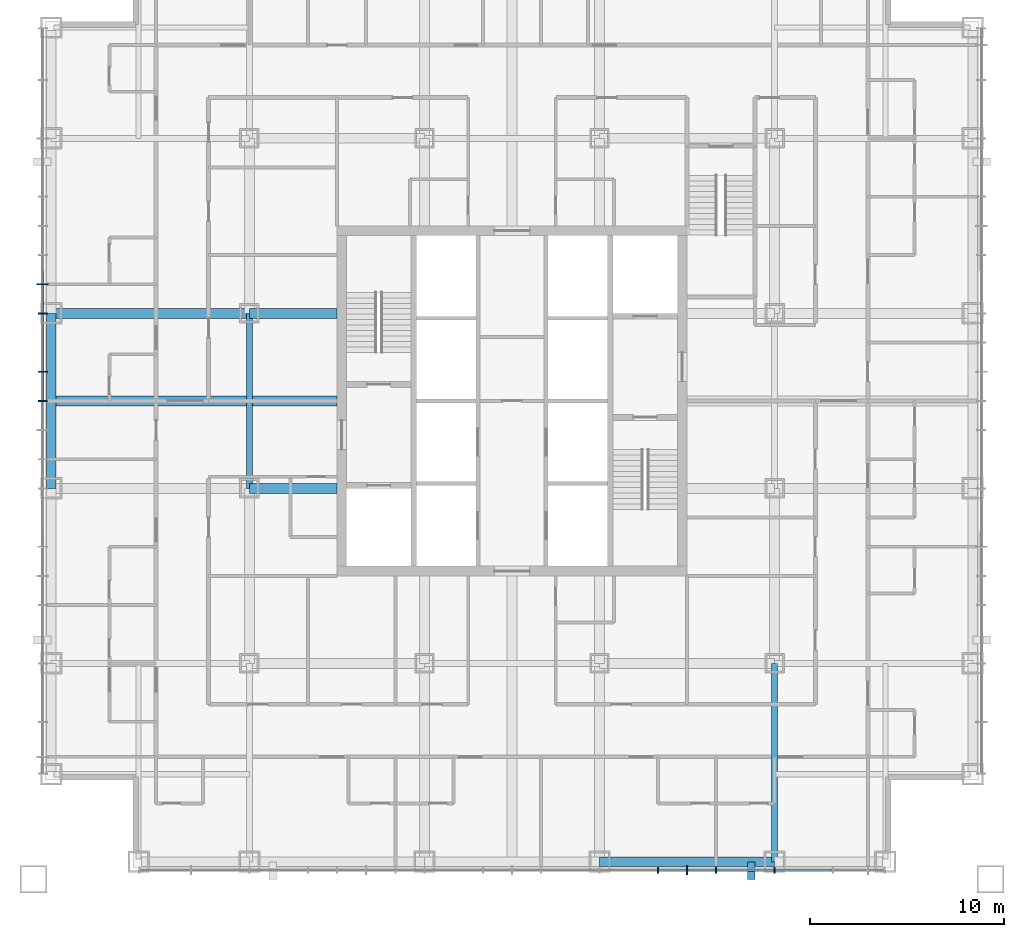
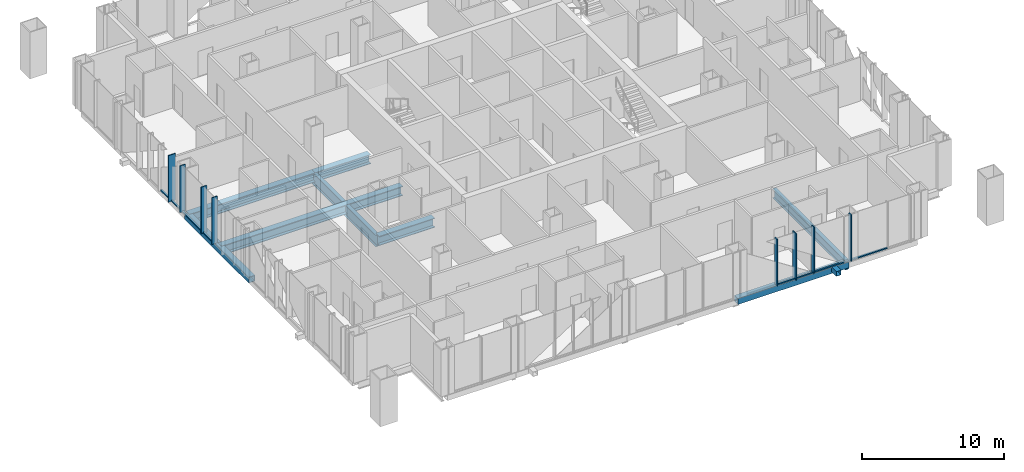
# One storey, part 3 of 14: 17 members, 8 beams, 2 elements without a shape of their own.
"""IFC4 building model written with IfcOpenShell, lengths in metres."""

from ifc_helpers import new_model, si_unit, direction, frame, origin, origin_2d, place, context, subcontext, project, spatial, rectangle, hollow_rectangle, i_section, extrude, material, layer, layer_set, material_profile, profile_set, type_object, element, aggregate, save


model = new_model("IFC4")

# Units and contexts
model_context = context("Model", 3, precision=1e-05, world=origin(), true_north=direction((0.0, 1.0)))
body_context = subcontext(model_context, "Body", "Model", "MODEL_VIEW")
ifc_project = project(units=[si_unit("LENGTHUNIT", "METRE"), si_unit("AREAUNIT", "SQUARE_METRE"), si_unit("VOLUMEUNIT", "CUBIC_METRE"), si_unit("PLANEANGLEUNIT", "RADIAN"), si_unit("MASSUNIT", "GRAM", prefix="KILO")], contexts=[model_context])

# Site, building, storey
site_placement = place(None, origin())
site = spatial("IfcSite", under=ifc_project, at=site_placement, CompositionType="ELEMENT")
building_placement = place(site_placement, origin())
building = spatial("IfcBuilding", under=site, at=building_placement, Name="Malebo Sky Hospital", CompositionType="ELEMENT")
storey_placement = place(building_placement, frame((0.0, 0.0, 148.0)))
storey = spatial("IfcBuildingStorey", under=building, at=storey_placement, Name="L35", CompositionType="ELEMENT", Elevation=148.0)

# Curtain wall, members
ifc_material_1 = material(Name="Anodised aluminium, natural silver", Category="aluminium")
ifc_layer_1 = layer(ifc_material_1, 0.25)
ifc_layer_set_1 = layer_set([ifc_layer_1], Name="WARD CURTAIN WALL EAST AND WEST")
curtain_wall_type_1 = type_object("IfcCurtainWallType", Name="WARD CURTAIN WALL EAST AND WEST", PredefinedType="NOTDEFINED", material=ifc_layer_set_1)
curtain_wall_1_placement = place(storey_placement, origin())
curtain_wall_1 = element("IfcCurtainWall", 1, at=curtain_wall_1_placement, inside=storey, type_object=curtain_wall_type_1, Name="EW curtain wall W", PredefinedType="NOTDEFINED")
ifc_material_profile_1 = material_profile(ifc_material_1, rectangle(XDim=0.14990234375, YDim=0.10009765625, at=origin_2d()), Name="ALUMINIUM TRANSOM 150x100")
ifc_profile_set_1 = profile_set([ifc_material_profile_1], Name="Anodised aluminium, natural silver")
member_type_1 = type_object("IfcMemberType", Name="ALUMINIUM TRANSOM 150x100", PredefinedType="USERDEFINED", material=ifc_profile_set_1)
member_1_placement = place(storey_placement, frame((35.864990234375, 62.03759765625, 0.050048828125), z_axis=(0.0, 1.0, 0.0), x_axis=(-1.0, 0.0, 0.0)))
member_1 = element("IfcMember", 2, at=member_1_placement, type_object=member_type_1, Name="Transom 11", ObjectType="TRANSOM", PredefinedType="USERDEFINED", context=body_context, shape_type="SweptSolid", body=[
    extrude(rectangle(XDim=0.14990234375, YDim=0.10009765625, at=origin_2d()), origin(), (0.0, 0.0, 1.0), 1.4248046875),
])
member_2_placement = place(storey_placement, frame((35.864990234375, 63.53759765625, 0.050048828125), z_axis=(0.0, 1.0, 0.0), x_axis=(-1.0, 0.0, 0.0)))
member_2 = element("IfcMember", 3, at=member_2_placement, type_object=member_type_1, Name="Transom 12", ObjectType="TRANSOM", PredefinedType="USERDEFINED", context=body_context, shape_type="SweptSolid", body=[
    extrude(rectangle(XDim=0.14990234375, YDim=0.10009765625, at=origin_2d()), origin(), (0.0, 0.0, 1.0), 2.9248046875),
])
member_3_placement = place(storey_placement, frame((35.864990234375, 66.53759765625, 0.050048828125), z_axis=(0.0, 1.0, 0.0), x_axis=(-1.0, 0.0, 0.0)))
member_3 = element("IfcMember", 4, at=member_3_placement, type_object=member_type_1, Name="Transom 13", ObjectType="TRANSOM", PredefinedType="USERDEFINED", context=body_context, shape_type="SweptSolid", body=[
    extrude(rectangle(XDim=0.14990234375, YDim=0.10009765625, at=origin_2d()), origin(), (0.0, 0.0, 1.0), 1.4248046875),
])
member_4_placement = place(storey_placement, frame((35.864990234375, 68.03759765625, 0.050048828125), z_axis=(0.0, 1.0, 0.0), x_axis=(-1.0, 0.0, 0.0)))
member_4 = element("IfcMember", 5, at=member_4_placement, type_object=member_type_1, Name="Transom 14", ObjectType="TRANSOM", PredefinedType="USERDEFINED", context=body_context, shape_type="SweptSolid", body=[
    extrude(rectangle(XDim=0.14990234375, YDim=0.10009765625, at=origin_2d()), origin(), (0.0, 0.0, 1.0), 1.4248046875),
])

ifc_layer_2 = layer(ifc_material_1, 0.25)
ifc_layer_set_2 = layer_set([ifc_layer_2], Name="WARD CURTAIN WALL NORTH AND SOUTH")
curtain_wall_type_2 = type_object("IfcCurtainWallType", Name="WARD CURTAIN WALL NORTH AND SOUTH", PredefinedType="NOTDEFINED", material=ifc_layer_set_2)
curtain_wall_2_placement = place(storey_placement, origin())
curtain_wall_2 = element("IfcCurtainWall", 6, at=curtain_wall_2_placement, inside=storey, type_object=curtain_wall_type_2, Name="NS curtain wall S", PredefinedType="NOTDEFINED")
member_5_placement = place(storey_placement, frame((76.46240234375, 37.864990234375, 0.050048828125), z_axis=(-1.0, 0.0, 0.0), x_axis=(0.0, -1.0, 0.0)))
member_5 = element("IfcMember", 7, at=member_5_placement, type_object=member_type_1, Name="Transom 3", ObjectType="TRANSOM", PredefinedType="USERDEFINED", context=body_context, shape_type="SweptSolid", body=[
    extrude(rectangle(XDim=0.14990234375, YDim=0.10009765625, at=origin_2d()), origin(), (0.0, 0.0, 1.0), 2.9248046875),
])
member_6_placement = place(storey_placement, frame((73.46240234375, 37.864990234375, 0.050048828125), z_axis=(-1.0, 0.0, 0.0), x_axis=(0.0, -1.0, 0.0)))
member_6 = element("IfcMember", 8, at=member_6_placement, type_object=member_type_1, Name="Transom 4", ObjectType="TRANSOM", PredefinedType="USERDEFINED", context=body_context, shape_type="SweptSolid", body=[
    extrude(rectangle(XDim=0.14990234375, YDim=0.10009765625, at=origin_2d()), origin(), (0.0, 0.0, 1.0), 2.9248046875),
])
member_7_placement = place(storey_placement, frame((70.46240234375, 37.864990234375, 0.050048828125), z_axis=(-1.0, 0.0, 0.0), x_axis=(0.0, -1.0, 0.0)))
member_7 = element("IfcMember", 9, at=member_7_placement, type_object=member_type_1, Name="Transom 5", ObjectType="TRANSOM", PredefinedType="USERDEFINED", context=body_context, shape_type="SweptSolid", body=[
    extrude(rectangle(XDim=0.14990234375, YDim=0.10009765625, at=origin_2d()), origin(), (0.0, 0.0, 1.0), 1.4248046875),
])
member_8_placement = place(storey_placement, frame((68.96240234375, 37.864990234375, 0.050048828125), z_axis=(-1.0, 0.0, 0.0), x_axis=(0.0, -1.0, 0.0)))
member_8 = element("IfcMember", 10, at=member_8_placement, type_object=member_type_1, Name="Transom 6", ObjectType="TRANSOM", PredefinedType="USERDEFINED", context=body_context, shape_type="SweptSolid", body=[
    extrude(rectangle(XDim=0.14990234375, YDim=0.10009765625, at=origin_2d()), origin(), (0.0, 0.0, 1.0), 1.4248046875),
])

# Member
ifc_material_2 = material(Name="Steel S355", Category="steel")
ifc_material_profile_2 = material_profile(ifc_material_2, hollow_rectangle(XDim=0.39990234375, YDim=0.39990234375, WallThickness=0.02001953125, at=origin_2d()), Name="SHS 400x20")
ifc_profile_set_2 = profile_set([ifc_material_profile_2], Name="Steel S355")
member_type_2 = type_object("IfcMemberType", Name="BRACE STRUT SHS 400x20", PredefinedType="STRUT", material=ifc_profile_set_2)
member_9_placement = place(storey_placement, frame((72.300048828125, 37.39990234375, -0.39990234375), z_axis=(0.0, 1.0, 0.0), x_axis=(-1.0, 0.0, 0.0)))
element("IfcMember", 11, at=member_9_placement, inside=storey, type_object=member_type_2, Name="Brace strut BS2 L35", PredefinedType="STRUT", context=body_context, shape_type="SweptSolid", body=[
    extrude(hollow_rectangle(XDim=0.39990234375, YDim=0.39990234375, WallThickness=0.02001953125, at=origin_2d()), origin(), (0.0, 0.0, 1.0), 0.900146484375),
])

ifc_material_profile_3 = material_profile(ifc_material_1, rectangle(XDim=0.074951171875, YDim=0.300048828125, at=origin_2d()), Name="CW1 ALUMINIUM FIN MULLION 75x300")
ifc_profile_set_3 = profile_set([ifc_material_profile_3], Name="Anodised aluminium, natural silver")
member_type_3 = type_object("IfcMemberType", Name="CW1 ALUMINIUM FIN MULLION 75x300", PredefinedType="MULLION", material=ifc_profile_set_3)
member_10_placement = place(storey_placement, frame((73.5, 37.864990234375, 0.0), z_axis=(0.0, 0.0, 1.0), x_axis=(-1.0, 0.0, 0.0)))
member_10 = element("IfcMember", 12, at=member_10_placement, type_object=member_type_3, Name="Fin mullion 4", PredefinedType="MULLION", context=body_context, shape_type="SweptSolid", body=[
    extrude(rectangle(XDim=0.074951171875, YDim=0.300048828125, at=origin_2d()), origin(), (0.0, 0.0, 1.0), 4.0),
])

member_11_placement = place(storey_placement, frame((70.5, 37.864990234375, 0.0), z_axis=(0.0, 0.0, 1.0), x_axis=(-1.0, 0.0, 0.0)))
member_11 = element("IfcMember", 13, at=member_11_placement, type_object=member_type_3, Name="Fin mullion 5", PredefinedType="MULLION", context=body_context, shape_type="SweptSolid", body=[
    extrude(rectangle(XDim=0.074951171875, YDim=0.300048828125, at=origin_2d()), origin(), (0.0, 0.0, 1.0), 4.0),
])

member_12_placement = place(storey_placement, frame((67.5, 37.864990234375, 0.0), z_axis=(0.0, 0.0, 1.0), x_axis=(-1.0, 0.0, 0.0)))
member_12 = element("IfcMember", 14, at=member_12_placement, type_object=member_type_3, Name="Fin mullion 7", PredefinedType="MULLION", context=body_context, shape_type="SweptSolid", body=[
    extrude(rectangle(XDim=0.074951171875, YDim=0.300048828125, at=origin_2d()), origin(), (0.0, 0.0, 1.0), 4.0),
])

ifc_material_profile_4 = material_profile(ifc_material_1, rectangle(XDim=0.074951171875, YDim=0.449951171875, at=origin_2d()), Name="CW1 ALUMINIUM FIN MULLION 75x450")
ifc_profile_set_4 = profile_set([ifc_material_profile_4], Name="Anodised aluminium, natural silver")
member_type_4 = type_object("IfcMemberType", Name="CW1 ALUMINIUM FIN MULLION 75x450", PredefinedType="MULLION", material=ifc_profile_set_4)
member_13_placement = place(storey_placement, frame((69.0, 37.864990234375, 0.0), z_axis=(0.0, 0.0, 1.0), x_axis=(-1.0, 0.0, 0.0)))
member_13 = element("IfcMember", 15, at=member_13_placement, type_object=member_type_4, Name="Fin mullion 6", PredefinedType="MULLION", context=body_context, shape_type="SweptSolid", body=[
    extrude(rectangle(XDim=0.074951171875, YDim=0.449951171875, at=origin_2d()), origin(), (0.0, 0.0, 1.0), 4.0),
])

aggregate(curtain_wall_2, [member_10, member_11, member_13, member_12, member_5, member_6, member_7, member_8])

ifc_material_profile_5 = material_profile(ifc_material_1, rectangle(XDim=0.074951171875, YDim=0.449951171875, at=origin_2d()), Name="CW2 ALUMINIUM FIN MULLION 75x450")
ifc_profile_set_5 = profile_set([ifc_material_profile_5], Name="Anodised aluminium, natural silver")
member_type_5 = type_object("IfcMemberType", Name="CW2 ALUMINIUM FIN MULLION 75x450", PredefinedType="MULLION", material=ifc_profile_set_5)
member_14_placement = place(storey_placement, frame((35.864990234375, 62.0, 0.0), z_axis=(0.0, 0.0, 1.0), x_axis=(0.0, 1.0, 0.0)))
member_14 = element("IfcMember", 16, at=member_14_placement, type_object=member_type_5, Name="Fin mullion 11", PredefinedType="MULLION", context=body_context, shape_type="SweptSolid", body=[
    extrude(rectangle(XDim=0.074951171875, YDim=0.449951171875, at=origin_2d()), origin(), (0.0, 0.0, 1.0), 4.0),
])

member_15_placement = place(storey_placement, frame((35.864990234375, 63.5, 0.0), z_axis=(0.0, 0.0, 1.0), x_axis=(0.0, 1.0, 0.0)))
member_15 = element("IfcMember", 17, at=member_15_placement, type_object=member_type_5, Name="Fin mullion 12", PredefinedType="MULLION", context=body_context, shape_type="SweptSolid", body=[
    extrude(rectangle(XDim=0.074951171875, YDim=0.449951171875, at=origin_2d()), origin(), (0.0, 0.0, 1.0), 4.0),
])

member_16_placement = place(storey_placement, frame((35.864990234375, 66.5, 0.0), z_axis=(0.0, 0.0, 1.0), x_axis=(0.0, 1.0, 0.0)))
member_16 = element("IfcMember", 18, at=member_16_placement, type_object=member_type_5, Name="Fin mullion 13", PredefinedType="MULLION", context=body_context, shape_type="SweptSolid", body=[
    extrude(rectangle(XDim=0.074951171875, YDim=0.449951171875, at=origin_2d()), origin(), (0.0, 0.0, 1.0), 4.0),
])

ifc_material_profile_6 = material_profile(ifc_material_1, rectangle(XDim=0.074951171875, YDim=0.60009765625, at=origin_2d()), Name="CW2 ALUMINIUM FIN MULLION 75x600")
ifc_profile_set_6 = profile_set([ifc_material_profile_6], Name="Anodised aluminium, natural silver")
member_type_6 = type_object("IfcMemberType", Name="CW2 ALUMINIUM FIN MULLION 75x600", PredefinedType="MULLION", material=ifc_profile_set_6)
member_17_placement = place(storey_placement, frame((35.864990234375, 68.0, 0.0), z_axis=(0.0, 0.0, 1.0), x_axis=(0.0, 1.0, 0.0)))
member_17 = element("IfcMember", 19, at=member_17_placement, type_object=member_type_6, Name="Fin mullion 14", PredefinedType="MULLION", context=body_context, shape_type="SweptSolid", body=[
    extrude(rectangle(XDim=0.074951171875, YDim=0.60009765625, at=origin_2d()), origin(), (0.0, 0.0, 1.0), 4.0),
])

aggregate(curtain_wall_1, [member_14, member_15, member_16, member_17, member_1, member_2, member_3, member_4])

# Beams
ifc_material_3 = material(Name="Steel S460", Category="steel")
ifc_material_profile_7 = material_profile(ifc_material_3, hollow_rectangle(XDim=0.5, YDim=0.5, WallThickness=0.030029296875, at=origin_2d()), Name="BOX 500x500x30")
ifc_profile_set_7 = profile_set([ifc_material_profile_7], Name="Steel S460")
beam_type_1 = type_object("IfcBeamType", Name="EDGE BEAM BOX 500x500x30", PredefinedType="BEAM", material=ifc_profile_set_7)
for number, where, z_axis, x_axis, name in (
    (20, (36.300048828125, 57.5, -0.5), (0.0, 1.0, 0.0), (-1.0, 0.0, 0.0), "Beam 002 L35"),
    (21, (64.5, 38.300048828125, -0.5), (1.0, 0.0, 0.0), (0.0, 1.0, 0.0), "Beam 037 L35"),
):
    element("IfcBeam", number, at=place(storey_placement, frame(where, z_axis=z_axis, x_axis=x_axis)), inside=storey, type_object=beam_type_1, Name=name, PredefinedType="BEAM", context=body_context, shape_type="SweptSolid", body=[
        extrude(hollow_rectangle(XDim=0.5, YDim=0.5, WallThickness=0.030029296875, at=origin_2d()), origin(), (0.0, 0.0, 1.0), 9.0),
    ])
ifc_material_profile_8 = material_profile(ifc_material_2, i_section(OverallWidth=0.5, OverallDepth=0.800048828125, WebThickness=0.030029296875, FlangeThickness=0.050048828125, at=origin_2d()), Name="PG 800x500x30x50")
ifc_profile_set_8 = profile_set([ifc_material_profile_8], Name="Steel S355")
beam_type_2 = type_object("IfcBeamType", Name="FLOOR BEAM PG 800x500x30x50", PredefinedType="BEAM", material=ifc_profile_set_8)
beam_1_placement = place(storey_placement, frame((46.5, 57.5, -0.64990234375), z_axis=(1.0, 0.0, 0.0), x_axis=(0.0, 1.0, 0.0)))
element("IfcBeam", 22, at=beam_1_placement, inside=storey, type_object=beam_type_2, Name="Beam 047 L35", PredefinedType="BEAM", context=body_context, shape_type="SweptSolid", body=[
    extrude(i_section(OverallWidth=0.5, OverallDepth=0.800048828125, WebThickness=0.030029296875, FlangeThickness=0.050048828125, at=origin_2d()), origin(), (0.0, 0.0, 1.0), 4.5),
])
beam_2_placement = place(storey_placement, frame((36.300048828125, 62.0, -0.64990234375), z_axis=(1.0, 0.0, 0.0), x_axis=(0.0, 1.0, 0.0)))
element("IfcBeam", 23, at=beam_2_placement, inside=storey, type_object=beam_type_2, Name="Beam 050 L35", PredefinedType="BEAM", context=body_context, shape_type="SweptSolid", body=[
    extrude(i_section(OverallWidth=0.5, OverallDepth=0.800048828125, WebThickness=0.030029296875, FlangeThickness=0.050048828125, at=origin_2d()), origin(), (0.0, 0.0, 1.0), 14.699951171875),
])
beam_3_placement = place(storey_placement, frame((36.300048828125, 66.5, -0.64990234375), z_axis=(1.0, 0.0, 0.0), x_axis=(0.0, 1.0, 0.0)))
element("IfcBeam", 24, at=beam_3_placement, inside=storey, type_object=beam_type_2, Name="Beam 052 L35", PredefinedType="BEAM", context=body_context, shape_type="SweptSolid", body=[
    extrude(i_section(OverallWidth=0.5, OverallDepth=0.800048828125, WebThickness=0.030029296875, FlangeThickness=0.050048828125, at=origin_2d()), origin(), (0.0, 0.0, 1.0), 10.199951171875),
])
beam_4_placement = place(storey_placement, frame((46.5, 66.5, -0.64990234375), z_axis=(1.0, 0.0, 0.0), x_axis=(0.0, 1.0, 0.0)))
element("IfcBeam", 25, at=beam_4_placement, inside=storey, type_object=beam_type_2, Name="Beam 053 L35", PredefinedType="BEAM", context=body_context, shape_type="SweptSolid", body=[
    extrude(i_section(OverallWidth=0.5, OverallDepth=0.800048828125, WebThickness=0.030029296875, FlangeThickness=0.050048828125, at=origin_2d()), origin(), (0.0, 0.0, 1.0), 4.5),
])
ifc_material_profile_9 = material_profile(ifc_material_2, i_section(OverallWidth=0.300048828125, OverallDepth=0.800048828125, WebThickness=0.017578125, FlangeThickness=0.032958984375, FilletRadius=0.030029296875, at=origin_2d()), Name="HEB 800")
ifc_profile_set_9 = profile_set([ifc_material_profile_9], Name="Steel S355")
beam_type_3 = type_object("IfcBeamType", Name="FLOOR GIRDER HEB 800", PredefinedType="BEAM", material=ifc_profile_set_9)
beam_5_placement = place(storey_placement, frame((73.5, 38.300048828125, -0.64990234375), z_axis=(0.0, 1.0, 0.0), x_axis=(-1.0, 0.0, 0.0)))
element("IfcBeam", 26, at=beam_5_placement, inside=storey, type_object=beam_type_3, Name="Beam 022 L35", PredefinedType="BEAM", context=body_context, shape_type="SweptSolid", body=[
    extrude(i_section(OverallWidth=0.300048828125, OverallDepth=0.800048828125, WebThickness=0.017578125, FlangeThickness=0.032958984375, FilletRadius=0.030029296875, at=origin_2d()), origin(), (0.0, 0.0, 1.0), 10.199951171875),
])
ifc_material_profile_10 = material_profile(ifc_material_2, i_section(OverallWidth=0.300048828125, OverallDepth=1.0, WebThickness=0.01904296875, FlangeThickness=0.035888671875, FilletRadius=0.030029296875, at=origin_2d()), Name="HEB 1000")
ifc_profile_set_10 = profile_set([ifc_material_profile_10], Name="Steel S355")
beam_type_4 = type_object("IfcBeamType", Name="RING GIRDER HEB 1000", PredefinedType="BEAM", material=ifc_profile_set_10)
beam_6_placement = place(storey_placement, frame((46.5, 57.5, -0.75), z_axis=(0.0, 1.0, 0.0), x_axis=(-1.0, 0.0, 0.0)))
element("IfcBeam", 27, at=beam_6_placement, inside=storey, type_object=beam_type_4, Name="Beam 009 L35", PredefinedType="BEAM", context=body_context, shape_type="SweptSolid", body=[
    extrude(i_section(OverallWidth=0.300048828125, OverallDepth=1.0, WebThickness=0.01904296875, FlangeThickness=0.035888671875, FilletRadius=0.030029296875, at=origin_2d()), origin(), (0.0, 0.0, 1.0), 9.0),
])

save(model, "model.ifc")
